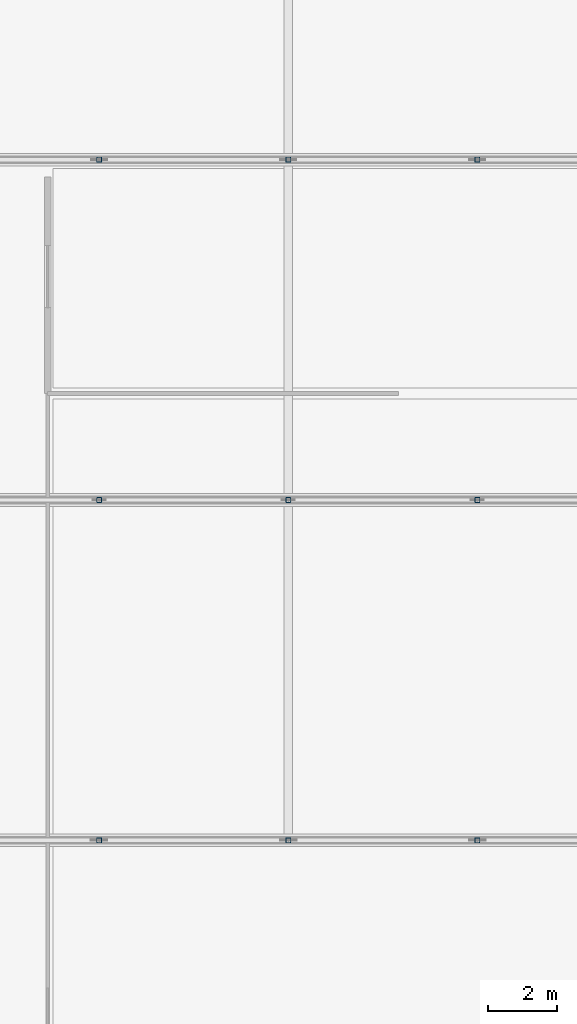
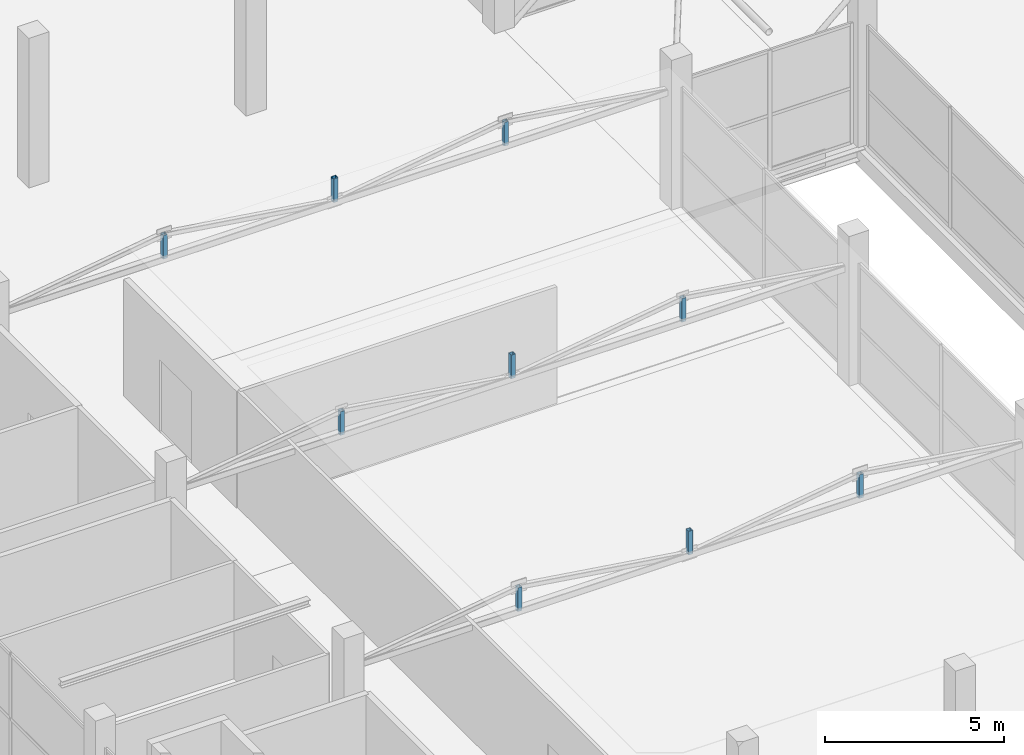
# One storey, part 42 of 58: 9 members.
"""IFC4 building model written with IfcOpenShell, lengths in metres."""

from ifc_helpers import new_model, si_unit, direction, frame, origin, origin_2d, place, context, subcontext, project, spatial, hollow_rectangle, extrude, material, material_profile, profile_set, type_object, element, save


model = new_model("IFC4")

# Units and contexts
model_context = context("Model", 3, precision=1e-05, world=origin(), true_north=direction((0.0, 1.0)))
body_context = subcontext(model_context, "Body", "Model", "MODEL_VIEW")
ifc_project = project(units=[si_unit("LENGTHUNIT", "METRE"), si_unit("AREAUNIT", "SQUARE_METRE"), si_unit("VOLUMEUNIT", "CUBIC_METRE"), si_unit("PLANEANGLEUNIT", "RADIAN"), si_unit("MASSUNIT", "GRAM", prefix="KILO")], contexts=[model_context])

# Site, building, storey
site_placement = place(None, origin())
site = spatial("IfcSite", under=ifc_project, at=site_placement, CompositionType="ELEMENT")
building_placement = place(site_placement, origin())
building = spatial("IfcBuilding", under=site, at=building_placement, Name="Sillaruma Civic Art Gallery", CompositionType="ELEMENT")
storey_placement = place(building_placement, frame((0.0, 0.0, 52.02001953125)))
storey = spatial("IfcBuildingStorey", under=building, at=storey_placement, Name="L10", CompositionType="ELEMENT", Elevation=52.02001953125)

# Members
ifc_material = material(Name="Structural Steel ASTM A500 Gr.C", Category="steel")
ifc_material_profile = material_profile(ifc_material, hollow_rectangle(XDim=0.14990234375, YDim=0.14990234375, WallThickness=0.010009765625, InnerFilletRadius=0.010009765625, OuterFilletRadius=0.02001953125, at=origin_2d()), Name="HSS150x150x10")
ifc_profile_set = profile_set([ifc_material_profile], Name="Structural Steel ASTM A500 Gr.C")
member_type = type_object("IfcMemberType", Name="MEM-POST-HSS150x150x10", PredefinedType="POST", material=ifc_profile_set)
for number, where, z_axis, x_axis, name in (
    (1, (75.5, 49.5, 3.85986328125), (0.0, 0.0, 1.0), (1.0, 0.0, 0.0), "Warren Truss Vertical Post TR-L10-1-V1"),
    (2, (81.0, 49.5, 3.85986328125), (0.0, 0.0, 1.0), (1.0, 0.0, 0.0), "Warren Truss Vertical Post TR-L10-1-V2"),
    (3, (86.5, 49.5, 3.85986328125), (0.0, 0.0, 1.0), (1.0, 0.0, 0.0), "Warren Truss Vertical Post TR-L10-1-V3"),
    (4, (75.5, 59.39990234375, 3.85986328125), (0.0, 0.0, 1.0), (1.0, 0.0, 0.0), "Warren Truss Vertical Post TR-L10-2-V1"),
    (5, (81.0, 59.39990234375, 3.85986328125), (0.0, 0.0, 1.0), (1.0, 0.0, 0.0), "Warren Truss Vertical Post TR-L10-2-V2"),
    (6, (86.5, 59.39990234375, 3.85986328125), (0.0, 0.0, 1.0), (1.0, 0.0, 0.0), "Warren Truss Vertical Post TR-L10-2-V3"),
    (7, (75.5, 69.300048828125, 3.85986328125), (0.0, 0.0, 1.0), (1.0, 0.0, 0.0), "Warren Truss Vertical Post TR-L10-3-V1"),
    (8, (81.0, 69.300048828125, 3.85986328125), (0.0, 0.0, 1.0), (1.0, 0.0, 0.0), "Warren Truss Vertical Post TR-L10-3-V2"),
    (9, (86.5, 69.300048828125, 3.85986328125), (0.0, 0.0, 1.0), (1.0, 0.0, 0.0), "Warren Truss Vertical Post TR-L10-3-V3"),
):
    element("IfcMember", number, at=place(storey_placement, frame(where, z_axis=z_axis, x_axis=x_axis)), inside=storey, type_object=member_type, Name=name, PredefinedType="POST", context=body_context, shape_type="SweptSolid", body=[
        extrude(hollow_rectangle(XDim=0.14990234375, YDim=0.14990234375, WallThickness=0.010009765625, InnerFilletRadius=0.010009765625, OuterFilletRadius=0.02001953125, at=origin_2d()), origin(), (0.0, 0.0, 1.0), 0.80810546875),
    ])

save(model, "model.ifc")
